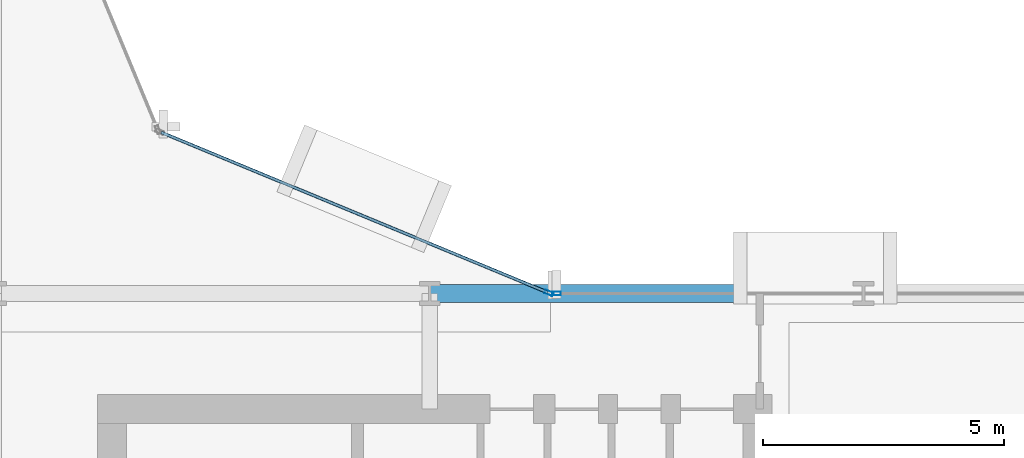
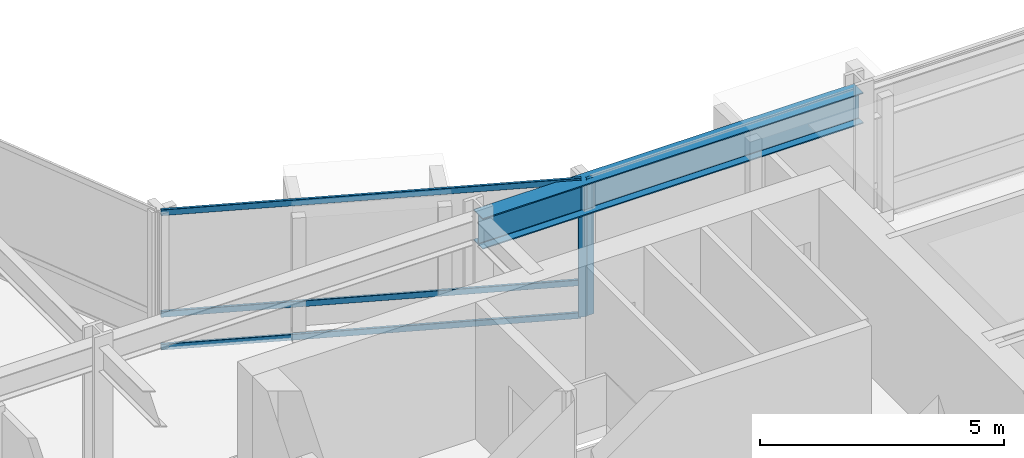
# One storey, part 15 of 34: 5 members, 1 beam, 2 elements without a shape of their own.
"""IFC4 building model written with IfcOpenShell, lengths in metres."""

from ifc_helpers import new_model, si_unit, direction, frame, origin, origin_2d, place, context, subcontext, project, spatial, hollow_rectangle, i_section, extrude, material, layer, layer_set, material_profile, profile_set, type_object, element, aggregate, save


model = new_model("IFC4")

# Units and contexts
model_context = context("Model", 3, precision=1e-05, world=origin(), true_north=direction((0.0, 1.0)))
body_context = subcontext(model_context, "Body", "Model", "MODEL_VIEW")
ifc_project = project(units=[si_unit("LENGTHUNIT", "METRE"), si_unit("AREAUNIT", "SQUARE_METRE"), si_unit("VOLUMEUNIT", "CUBIC_METRE"), si_unit("PLANEANGLEUNIT", "RADIAN"), si_unit("MASSUNIT", "GRAM", prefix="KILO")], contexts=[model_context])

# Site, building, storey
site_placement = place(None, origin())
site = spatial("IfcSite", under=ifc_project, at=site_placement, CompositionType="ELEMENT")
building_placement = place(site_placement, origin())
building = spatial("IfcBuilding", under=site, at=building_placement, Name="Solvaryn Broadcast Tower", CompositionType="ELEMENT")
storey_placement = place(building_placement, frame((0.0, 0.0, 54.5)))
storey = spatial("IfcBuildingStorey", under=building, at=storey_placement, Name="L12", CompositionType="ELEMENT", Elevation=54.5)

# Beam
ifc_material_1 = material(Name="Steel ASTM A992 Grade 50", Category="steel")
ifc_material_profile_1 = material_profile(ifc_material_1, i_section(OverallWidth=0.381103515625, OverallDepth=0.77294921875, WebThickness=0.0166015625, FlangeThickness=0.027099609375, FilletRadius=0.01806640625, at=origin_2d()))
ifc_profile_set_1 = profile_set([ifc_material_profile_1], Name="Steel ASTM A992 Grade 50")
beam_type = type_object("IfcBeamType", Name="BM-SP1-W30X173", PredefinedType="USERDEFINED", material=ifc_profile_set_1)
beam_placement = place(storey_placement, frame((36.0, 27.0, 3.033447265625), z_axis=(1.0, 0.0, 0.0), x_axis=(0.0, 1.0, 0.0)))
element("IfcBeam", 1, at=beam_placement, inside=storey, type_object=beam_type, Name="L12 Spandrel Beam X (36-45 @ Y=27)", ObjectType="SPANDREL", PredefinedType="USERDEFINED", context=body_context, shape_type="SweptSolid", body=[
    extrude(i_section(OverallWidth=0.381103515625, OverallDepth=0.77294921875, WebThickness=0.0166015625, FlangeThickness=0.027099609375, FilletRadius=0.01806640625, at=origin_2d()), origin(), (0.0, 0.0, 1.0), 9.0),
])

# Curtain wall, member
ifc_material_2 = material(Name="Aluminium and Terracotta Unitised Curtain Wall", Category="masonry")
ifc_layer = layer(ifc_material_2, 0.199951171875)
ifc_layer_set = layer_set([ifc_layer], Name="CW-SYS2-LOWMID")
curtain_wall_type = type_object("IfcCurtainWallType", Name="CW-SYS2-LOWMID", PredefinedType="NOTDEFINED", material=ifc_layer_set)
curtain_wall_1_placement = place(storey_placement, origin())
curtain_wall_1 = element("IfcCurtainWall", 2, at=curtain_wall_1_placement, inside=storey, type_object=curtain_wall_type, Name="L12 Curtain Wall CN1", PredefinedType="NOTDEFINED")
ifc_material_3 = material(Name="Anodised Aluminium 6063-T6", Category="aluminium")
ifc_material_profile_2 = material_profile(ifc_material_3, hollow_rectangle(XDim=0.074951171875, YDim=0.179931640625, WallThickness=0.00390625, InnerFilletRadius=0.00390625, OuterFilletRadius=0.008056640625, at=origin_2d()))
ifc_profile_set_2 = profile_set([ifc_material_profile_2], Name="Anodised Aluminium 6063-T6")
member_type_1 = type_object("IfcMemberType", Name="CW-MUL-180", PredefinedType="MULLION", material=ifc_profile_set_2)
member_1_placement = place(storey_placement, frame((38.47216796875, 27.011474609375, 0.0), z_axis=(0.0, 0.0, 1.0), x_axis=(-0.382646127145, -0.923894983957, 0.0)))
member_1 = element("IfcMember", 3, at=member_1_placement, type_object=member_type_1, Name="CWS2 mullion 1", PredefinedType="MULLION", context=body_context, shape_type="SweptSolid", body=[
    extrude(hollow_rectangle(XDim=0.074951171875, YDim=0.179931640625, WallThickness=0.00390625, InnerFilletRadius=0.00390625, OuterFilletRadius=0.008056640625, at=origin_2d()), origin(), (0.0, 0.0, 1.0), 3.419921875),
])

curtain_wall_2_placement = place(storey_placement, origin())
curtain_wall_2 = element("IfcCurtainWall", 4, at=curtain_wall_2_placement, inside=storey, type_object=curtain_wall_type, Name="L12 Curtain Wall IH", PredefinedType="NOTDEFINED")
member_2_placement = place(storey_placement, frame((38.6298828125, 27.0, 0.0), z_axis=(0.0, 0.0, 1.0), x_axis=(0.0, 1.0, 0.0)))
member_2 = element("IfcMember", 5, at=member_2_placement, type_object=member_type_1, Name="CWS2 mullion 1", PredefinedType="MULLION", context=body_context, shape_type="SweptSolid", body=[
    extrude(hollow_rectangle(XDim=0.074951171875, YDim=0.179931640625, WallThickness=0.00390625, InnerFilletRadius=0.00390625, OuterFilletRadius=0.008056640625, at=origin_2d()), origin(), (0.0, 0.0, 1.0), 3.419921875),
])
aggregate(curtain_wall_2, [member_2])

# Member
ifc_material_4 = material(Name="Anodised Aluminium 6063-T6", Category="aluminium")
ifc_material_profile_3 = material_profile(ifc_material_4, hollow_rectangle(XDim=0.06494140625, YDim=0.14990234375, WallThickness=0.00390625, InnerFilletRadius=0.00390625, OuterFilletRadius=0.008056640625, at=origin_2d()))
ifc_profile_set_3 = profile_set([ifc_material_profile_3], Name="Anodised Aluminium 6063-T6")
member_type_2 = type_object("IfcMemberType", Name="CW-TRN-150", PredefinedType="USERDEFINED", material=ifc_profile_set_3)
member_3_placement = place(storey_placement, frame((38.444580078125, 27.02294921875, 0.030029296875), z_axis=(-0.923899282177, 0.382635748975, 0.0), x_axis=(-0.382635748975, -0.923899282177, 0.0)))
member_3 = element("IfcMember", 6, at=member_3_placement, type_object=member_type_2, Name="CWS2 transom 1.1", ObjectType="TRANSOM", PredefinedType="USERDEFINED", context=body_context, shape_type="SweptSolid", body=[
    extrude(hollow_rectangle(XDim=0.06494140625, YDim=0.14990234375, WallThickness=0.00390625, InnerFilletRadius=0.00390625, OuterFilletRadius=0.008056640625, at=origin_2d()), origin(), (0.0, 0.0, 1.0), 8.681884765625),
])

member_4_placement = place(storey_placement, frame((38.444580078125, 27.02294921875, 0.85009765625), z_axis=(-0.923899282177, 0.382635748975, 0.0), x_axis=(-0.382635748975, -0.923899282177, 0.0)))
member_4 = element("IfcMember", 7, at=member_4_placement, type_object=member_type_2, Name="CWS2 transom 1.2", ObjectType="TRANSOM", PredefinedType="USERDEFINED", context=body_context, shape_type="SweptSolid", body=[
    extrude(hollow_rectangle(XDim=0.06494140625, YDim=0.14990234375, WallThickness=0.00390625, InnerFilletRadius=0.00390625, OuterFilletRadius=0.008056640625, at=origin_2d()), origin(), (0.0, 0.0, 1.0), 8.681884765625),
])

member_5_placement = place(storey_placement, frame((38.444580078125, 27.02294921875, 3.389892578125), z_axis=(-0.923899282177, 0.382635748975, 0.0), x_axis=(-0.382635748975, -0.923899282177, 0.0)))
member_5 = element("IfcMember", 8, at=member_5_placement, type_object=member_type_2, Name="CWS2 transom 1.3", ObjectType="TRANSOM", PredefinedType="USERDEFINED", context=body_context, shape_type="SweptSolid", body=[
    extrude(hollow_rectangle(XDim=0.06494140625, YDim=0.14990234375, WallThickness=0.00390625, InnerFilletRadius=0.00390625, OuterFilletRadius=0.008056640625, at=origin_2d()), origin(), (0.0, 0.0, 1.0), 8.681884765625),
])

aggregate(curtain_wall_1, [member_1, member_3, member_4, member_5])

save(model, "model.ifc")
